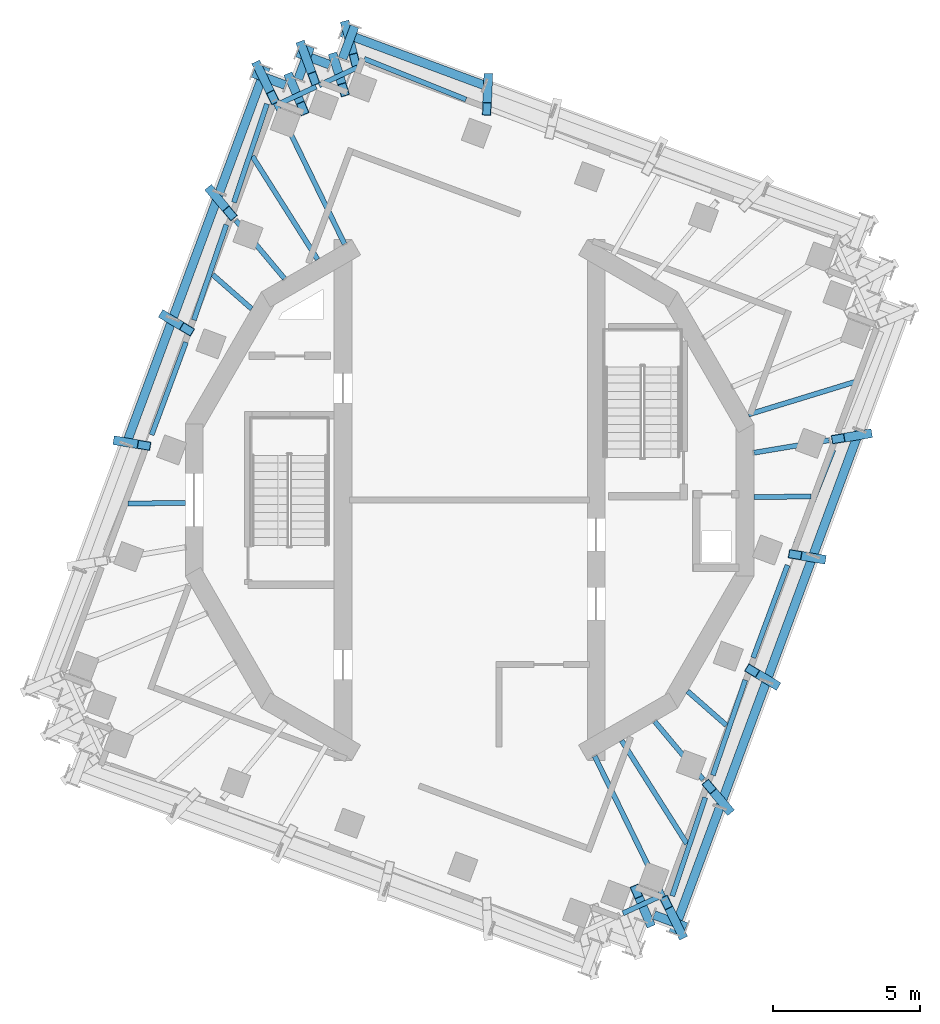
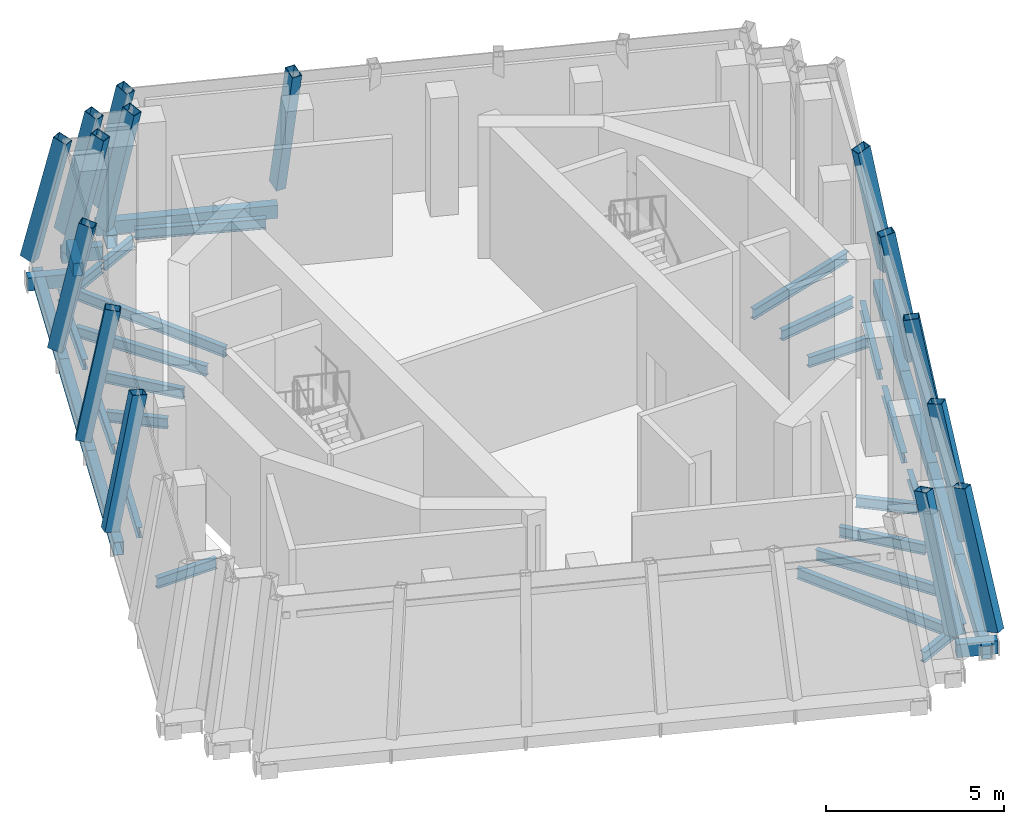
# One storey, part 2 of 11: 28 members, 23 beams, 15 elements without a shape of their own.
"""IFC4 building model written with IfcOpenShell, lengths in metres."""

from ifc_helpers import new_model, si_unit, direction, frame, origin, origin_2d, place, context, subcontext, project, spatial, hollow_rectangle, i_section, extrude, material, material_profile, profile_set, type_object, element, aggregate, save


model = new_model("IFC4")

# Units and contexts
model_context = context("Model", 3, precision=1e-05, world=origin(), true_north=direction((0.0, 1.0)))
body_context = subcontext(model_context, "Body", "Model", "MODEL_VIEW")
ifc_project = project(units=[si_unit("LENGTHUNIT", "METRE"), si_unit("AREAUNIT", "SQUARE_METRE"), si_unit("VOLUMEUNIT", "CUBIC_METRE"), si_unit("PLANEANGLEUNIT", "RADIAN"), si_unit("MASSUNIT", "GRAM", prefix="KILO")], contexts=[model_context])

# Site, building, storey
site_placement = place(None, origin())
site = spatial("IfcSite", under=ifc_project, at=site_placement, CompositionType="ELEMENT")
building_placement = place(site_placement, origin())
building = spatial("IfcBuilding", under=site, at=building_placement, Name="Cantera Rosa Tower", CompositionType="ELEMENT")
storey_placement = place(building_placement, frame((0.0, 0.0, 365.199951171875)))
storey = spatial("IfcBuildingStorey", under=building, at=storey_placement, Name="L82", CompositionType="ELEMENT", Elevation=365.199951171875)

# Curtain wall, member
ifc_material_1 = material(Name="Aluminium frame with clear glass", Category="aluminium")
curtain_wall_type = type_object("IfcCurtainWallType", Name="CW4 CROWN GLAZING", PredefinedType="NOTDEFINED", material=ifc_material_1)
curtain_wall_1_placement = place(storey_placement, origin())
curtain_wall_1 = element("IfcCurtainWall", 1, at=curtain_wall_1_placement, inside=storey, type_object=curtain_wall_type, Name="CW4 L82-05", PredefinedType="NOTDEFINED")
ifc_material_2 = material(Name="Steel S355J2 (EN 10025-2)", Category="steel")
ifc_material_profile_1 = material_profile(ifc_material_2, hollow_rectangle(XDim=0.300048828125, YDim=0.449951171875, WallThickness=0.01611328125, at=origin_2d()), Name="CROWN FRAME MULLION RHS 300x450x16")
ifc_profile_set_1 = profile_set([ifc_material_profile_1], Name="Steel S355J2 (EN 10025-2)")
member_type_1 = type_object("IfcMemberType", Name="CROWN FRAME MULLION RHS 300x450x16", PredefinedType="MULLION", material=ifc_profile_set_1)
member_1_placement = place(storey_placement, frame((0.628662109375, 14.271728515625, 0.0), z_axis=(-0.009380732046, -0.21363689761, 0.976868096442), x_axis=(0.999037360928, -0.043867430634, 0.0)))
member_1 = element("IfcMember", 2, at=member_1_placement, type_object=member_type_1, Name="CROWN FRAME rib L82-05", PredefinedType="MULLION", context=body_context, shape_type="SweptSolid", body=[
    extrude(hollow_rectangle(XDim=0.300048828125, YDim=0.449951171875, WallThickness=0.01611328125, at=origin_2d()), origin(), (0.0, 0.0, 1.0), 4.6064453125),
])

curtain_wall_2_placement = place(storey_placement, origin())
curtain_wall_2 = element("IfcCurtainWall", 3, at=curtain_wall_2_placement, inside=storey, type_object=curtain_wall_type, Name="CW4 L82-06", PredefinedType="NOTDEFINED")
member_2_placement = place(storey_placement, frame((-4.193115234375, 16.058837890625, 0.0), z_axis=(0.062253321843, -0.238550102365, 0.96913279409), x_axis=(0.967594620627, 0.252508712987, 0.0)))
member_2 = element("IfcMember", 4, at=member_2_placement, type_object=member_type_1, Name="CROWN FRAME rib L82-06", PredefinedType="MULLION", context=body_context, shape_type="SweptSolid", body=[
    extrude(hollow_rectangle(XDim=0.300048828125, YDim=0.449951171875, WallThickness=0.01611328125, at=origin_2d()), origin(), (0.0, 0.0, 1.0), 4.643310546875),
])

curtain_wall_3_placement = place(storey_placement, origin())
curtain_wall_3 = element("IfcCurtainWall", 5, at=curtain_wall_3_placement, inside=storey, type_object=curtain_wall_type, Name="CW4 L82-07", PredefinedType="NOTDEFINED")
member_3_placement = place(storey_placement, frame((-4.59619140625, 14.970947265625, 0.0), z_axis=(0.068476464334, -0.223102440423, 0.97238689569), x_axis=(0.955984057703, 0.293418611232, 0.0)))
member_3 = element("IfcMember", 6, at=member_3_placement, type_object=member_type_1, Name="CROWN FRAME rib L82-07", PredefinedType="MULLION", context=body_context, shape_type="SweptSolid", body=[
    extrude(hollow_rectangle(XDim=0.300048828125, YDim=0.449951171875, WallThickness=0.01611328125, at=origin_2d()), origin(), (0.0, 0.0, 1.0), 4.627685546875),
])

curtain_wall_4_placement = place(storey_placement, origin())
curtain_wall_4 = element("IfcCurtainWall", 7, at=curtain_wall_4_placement, inside=storey, type_object=curtain_wall_type, Name="CW4 L82-08", PredefinedType="NOTDEFINED")
member_4_placement = place(storey_placement, frame((-5.68408203125, 15.3740234375, 0.0), z_axis=(0.084505308064, -0.228522137559, 0.9698641583), x_axis=(0.937925785431, 0.346836014599, 0.0)))
member_4 = element("IfcMember", 8, at=member_4_placement, type_object=member_type_1, Name="CROWN FRAME rib L82-08", PredefinedType="MULLION", context=body_context, shape_type="SweptSolid", body=[
    extrude(hollow_rectangle(XDim=0.300048828125, YDim=0.449951171875, WallThickness=0.01611328125, at=origin_2d()), origin(), (0.0, 0.0, 1.0), 4.639892578125),
])

curtain_wall_5_placement = place(storey_placement, origin())
curtain_wall_5 = element("IfcCurtainWall", 9, at=curtain_wall_5_placement, inside=storey, type_object=curtain_wall_type, Name="CW4 L82-09", PredefinedType="NOTDEFINED")
member_5_placement = place(storey_placement, frame((-6.087158203125, 14.286376953125, 0.0), z_axis=(0.090779857641, -0.213015991534, 0.972822288395), x_axis=(0.919944828151, 0.392047845496, 0.0)))
member_5 = element("IfcMember", 10, at=member_5_placement, type_object=member_type_1, Name="CROWN FRAME rib L82-09", PredefinedType="MULLION", context=body_context, shape_type="SweptSolid", body=[
    extrude(hollow_rectangle(XDim=0.300048828125, YDim=0.449951171875, WallThickness=0.01611328125, at=origin_2d()), origin(), (0.0, 0.0, 1.0), 4.625732421875),
])

curtain_wall_6_placement = place(storey_placement, origin())
curtain_wall_6 = element("IfcCurtainWall", 11, at=curtain_wall_6_placement, inside=storey, type_object=curtain_wall_type, Name="CW4 L82-10", PredefinedType="NOTDEFINED")
member_6_placement = place(storey_placement, frame((-7.1748046875, 14.689453125, 0.0), z_axis=(0.106673890401, -0.218399923612, 0.970011419764), x_axis=(0.898545674073, 0.438880019601, 0.0)))
member_6 = element("IfcMember", 12, at=member_6_placement, type_object=member_type_1, Name="CROWN FRAME rib L82-10", PredefinedType="MULLION", context=body_context, shape_type="SweptSolid", body=[
    extrude(hollow_rectangle(XDim=0.300048828125, YDim=0.449951171875, WallThickness=0.01611328125, at=origin_2d()), origin(), (0.0, 0.0, 1.0), 4.63916015625),
])

curtain_wall_7_placement = place(storey_placement, origin())
curtain_wall_7 = element("IfcCurtainWall", 13, at=curtain_wall_7_placement, inside=storey, type_object=curtain_wall_type, Name="CW4 L82-11", PredefinedType="NOTDEFINED")
member_7_placement = place(storey_placement, frame((-8.74267578125, 10.458251953125, 0.0), z_axis=(0.131122068343, -0.156879137256, 0.978874833412), x_axis=(0.767283675605, 0.641307852088, 0.0)))
member_7 = element("IfcMember", 14, at=member_7_placement, type_object=member_type_1, Name="CROWN FRAME rib L82-11", PredefinedType="MULLION", context=body_context, shape_type="SweptSolid", body=[
    extrude(hollow_rectangle(XDim=0.300048828125, YDim=0.449951171875, WallThickness=0.01611328125, at=origin_2d()), origin(), (0.0, 0.0, 1.0), 4.59716796875),
])

curtain_wall_8_placement = place(storey_placement, origin())
curtain_wall_8 = element("IfcCurtainWall", 15, at=curtain_wall_8_placement, inside=storey, type_object=curtain_wall_type, Name="CW4 L82-12", PredefinedType="NOTDEFINED")
member_8_placement = place(storey_placement, frame((-10.310791015625, 6.22705078125, 0.0), z_axis=(0.155413991441, -0.093845935786, 0.983381630701), x_axis=(0.516913795704, 0.856037457014, 0.0)))
member_8 = element("IfcMember", 16, at=member_8_placement, type_object=member_type_1, Name="CROWN FRAME rib L82-12", PredefinedType="MULLION", context=body_context, shape_type="SweptSolid", body=[
    extrude(hollow_rectangle(XDim=0.300048828125, YDim=0.449951171875, WallThickness=0.01611328125, at=origin_2d()), origin(), (0.0, 0.0, 1.0), 4.575927734375),
])

curtain_wall_9_placement = place(storey_placement, origin())
curtain_wall_9 = element("IfcCurtainWall", 17, at=curtain_wall_9_placement, inside=storey, type_object=curtain_wall_type, Name="CW4 L82-13", PredefinedType="NOTDEFINED")
member_9_placement = place(storey_placement, frame((-11.878662109375, 1.995849609375, 0.0), z_axis=(0.17899692561, -0.030090690326, 0.983389368957), x_axis=(0.16578112972, 0.986162571298, 0.0)))
member_9 = element("IfcMember", 18, at=member_9_placement, type_object=member_type_1, Name="CROWN FRAME rib L82-13", PredefinedType="MULLION", context=body_context, shape_type="SweptSolid", body=[
    extrude(hollow_rectangle(XDim=0.300048828125, YDim=0.449951171875, WallThickness=0.01611328125, at=origin_2d()), origin(), (0.0, 0.0, 1.0), 4.575927734375),
])
aggregate(curtain_wall_9, [member_9])

curtain_wall_10_placement = place(storey_placement, origin())
curtain_wall_10 = element("IfcCurtainWall", 19, at=curtain_wall_10_placement, inside=storey, type_object=curtain_wall_type, Name="CW4 L82-27", PredefinedType="NOTDEFINED")
member_10_placement = place(storey_placement, frame((6.087158203125, -14.286376953125, 0.0), z_axis=(-0.090779857641, 0.213015991534, 0.972822288395), x_axis=(-0.919944828151, -0.392047845496, 0.0)))
member_10 = element("IfcMember", 20, at=member_10_placement, type_object=member_type_1, Name="CROWN FRAME rib L82-27", PredefinedType="MULLION", context=body_context, shape_type="SweptSolid", body=[
    extrude(hollow_rectangle(XDim=0.300048828125, YDim=0.449951171875, WallThickness=0.01611328125, at=origin_2d()), origin(), (0.0, 0.0, 1.0), 4.625732421875),
])

curtain_wall_11_placement = place(storey_placement, origin())
curtain_wall_11 = element("IfcCurtainWall", 21, at=curtain_wall_11_placement, inside=storey, type_object=curtain_wall_type, Name="CW4 L82-28", PredefinedType="NOTDEFINED")
member_11_placement = place(storey_placement, frame((7.1748046875, -14.689453125, 0.0), z_axis=(-0.106673890401, 0.218399923612, 0.970011419764), x_axis=(-0.898545674073, -0.438880019601, 0.0)))
member_11 = element("IfcMember", 22, at=member_11_placement, type_object=member_type_1, Name="CROWN FRAME rib L82-28", PredefinedType="MULLION", context=body_context, shape_type="SweptSolid", body=[
    extrude(hollow_rectangle(XDim=0.300048828125, YDim=0.449951171875, WallThickness=0.01611328125, at=origin_2d()), origin(), (0.0, 0.0, 1.0), 4.63916015625),
])

curtain_wall_12_placement = place(storey_placement, origin())
curtain_wall_12 = element("IfcCurtainWall", 23, at=curtain_wall_12_placement, inside=storey, type_object=curtain_wall_type, Name="CW4 L82-29", PredefinedType="NOTDEFINED")
member_12_placement = place(storey_placement, frame((8.74267578125, -10.458251953125, 0.0), z_axis=(-0.131122068343, 0.156879137256, 0.978874833412), x_axis=(-0.767283675605, -0.641307852088, 0.0)))
member_12 = element("IfcMember", 24, at=member_12_placement, type_object=member_type_1, Name="CROWN FRAME rib L82-29", PredefinedType="MULLION", context=body_context, shape_type="SweptSolid", body=[
    extrude(hollow_rectangle(XDim=0.300048828125, YDim=0.449951171875, WallThickness=0.01611328125, at=origin_2d()), origin(), (0.0, 0.0, 1.0), 4.59716796875),
])

curtain_wall_13_placement = place(storey_placement, origin())
curtain_wall_13 = element("IfcCurtainWall", 25, at=curtain_wall_13_placement, inside=storey, type_object=curtain_wall_type, Name="CW4 L82-30", PredefinedType="NOTDEFINED")
member_13_placement = place(storey_placement, frame((10.310791015625, -6.22705078125, 0.0), z_axis=(-0.155413991441, 0.093845935786, 0.983381630701), x_axis=(-0.516913795704, -0.856037457014, 0.0)))
member_13 = element("IfcMember", 26, at=member_13_placement, type_object=member_type_1, Name="CROWN FRAME rib L82-30", PredefinedType="MULLION", context=body_context, shape_type="SweptSolid", body=[
    extrude(hollow_rectangle(XDim=0.300048828125, YDim=0.449951171875, WallThickness=0.01611328125, at=origin_2d()), origin(), (0.0, 0.0, 1.0), 4.575927734375),
])

curtain_wall_14_placement = place(storey_placement, origin())
curtain_wall_14 = element("IfcCurtainWall", 27, at=curtain_wall_14_placement, inside=storey, type_object=curtain_wall_type, Name="CW4 L82-31", PredefinedType="NOTDEFINED")
member_14_placement = place(storey_placement, frame((11.878662109375, -1.995849609375, 0.0), z_axis=(-0.17899692561, 0.030090690326, 0.983389368957), x_axis=(-0.16578112972, -0.986162571298, 0.0)))
member_14 = element("IfcMember", 28, at=member_14_placement, type_object=member_type_1, Name="CROWN FRAME rib L82-31", PredefinedType="MULLION", context=body_context, shape_type="SweptSolid", body=[
    extrude(hollow_rectangle(XDim=0.300048828125, YDim=0.449951171875, WallThickness=0.01611328125, at=origin_2d()), origin(), (0.0, 0.0, 1.0), 4.575927734375),
])

curtain_wall_15_placement = place(storey_placement, origin())
curtain_wall_15 = element("IfcCurtainWall", 29, at=curtain_wall_15_placement, inside=storey, type_object=curtain_wall_type, Name="CW4 L82-32", PredefinedType="NOTDEFINED")
member_15_placement = place(storey_placement, frame((13.44677734375, 2.2353515625, 0.0), z_axis=(-0.201752441202, -0.0335103423, 0.978863120885), x_axis=(0.163851550291, -0.986485007219, 0.0)))
member_15 = element("IfcMember", 30, at=member_15_placement, type_object=member_type_1, Name="CROWN FRAME rib L82-32", PredefinedType="MULLION", context=body_context, shape_type="SweptSolid", body=[
    extrude(hollow_rectangle(XDim=0.300048828125, YDim=0.449951171875, WallThickness=0.01611328125, at=origin_2d()), origin(), (0.0, 0.0, 1.0), 4.59716796875),
])
aggregate(curtain_wall_15, [member_15])

# Member
ifc_material_3 = material(Name="Steel S355J2 (EN 10025-2)", Category="steel")
ifc_material_profile_2 = material_profile(ifc_material_3, hollow_rectangle(XDim=0.300048828125, YDim=0.449951171875, WallThickness=0.01611328125, at=origin_2d()), Name="CROWN FRAME PURLIN RHS 300x450x16")
ifc_profile_set_2 = profile_set([ifc_material_profile_2], Name="Steel S355J2 (EN 10025-2)")
member_type_2 = type_object("IfcMemberType", Name="CROWN FRAME PURLIN RHS 300x450x16", PredefinedType="PURLIN", material=ifc_profile_set_2)
member_16_placement = place(storey_placement, frame((0.515625, 14.08251953125, -0.675048828125), z_axis=(-0.937686896473, 0.347481343646, 0.0), x_axis=(-0.347481343646, -0.937686896473, 0.0)))
member_16 = element("IfcMember", 31, at=member_16_placement, type_object=member_type_2, Name="CROWN FRAME purlin L82-05", PredefinedType="PURLIN", context=body_context, shape_type="SweptSolid", body=[
    extrude(hollow_rectangle(XDim=0.300048828125, YDim=0.449951171875, WallThickness=0.01611328125, at=origin_2d()), origin(), (0.0, 0.0, 1.0), 5.190185546875),
])

aggregate(curtain_wall_1, [member_1, member_16])

member_17_placement = place(storey_placement, frame((-3.908447265625, 16.092041015625, -0.675048828125), z_axis=(-0.3475112458, -0.937675815003, 0.0), x_axis=(0.937675815003, -0.3475112458, 0.0)))
member_17 = element("IfcMember", 32, at=member_17_placement, type_object=member_type_2, Name="CROWN FRAME purlin L82-06", PredefinedType="PURLIN", context=body_context, shape_type="SweptSolid", body=[
    extrude(hollow_rectangle(XDim=0.300048828125, YDim=0.449951171875, WallThickness=0.01611328125, at=origin_2d()), origin(), (0.0, 0.0, 1.0), 1.171142578125),
])

aggregate(curtain_wall_2, [member_2, member_17])

member_18_placement = place(storey_placement, frame((-4.758544921875, 14.78857421875, -0.675048828125), z_axis=(-0.937718573213, 0.347395851228, 0.0), x_axis=(-0.347395851228, -0.937718573213, 0.0)))
member_18 = element("IfcMember", 33, at=member_18_placement, type_object=member_type_2, Name="CROWN FRAME purlin L82-07", PredefinedType="PURLIN", context=body_context, shape_type="SweptSolid", body=[
    extrude(hollow_rectangle(XDim=0.300048828125, YDim=0.449951171875, WallThickness=0.01611328125, at=origin_2d()), origin(), (0.0, 0.0, 1.0), 1.1708984375),
])

aggregate(curtain_wall_3, [member_3, member_18])

member_19_placement = place(storey_placement, frame((-5.4140625, 15.39990234375, -0.675048828125), z_axis=(-0.347327935918, -0.937743730947, 0.0), x_axis=(0.937743730947, -0.347327935918, 0.0)))
member_19 = element("IfcMember", 34, at=member_19_placement, type_object=member_type_2, Name="CROWN FRAME purlin L82-08", PredefinedType="PURLIN", context=body_context, shape_type="SweptSolid", body=[
    extrude(hollow_rectangle(XDim=0.300048828125, YDim=0.449951171875, WallThickness=0.01611328125, at=origin_2d()), origin(), (0.0, 0.0, 1.0), 1.171142578125),
])

aggregate(curtain_wall_4, [member_4, member_19])

member_20_placement = place(storey_placement, frame((-6.264404296875, 14.09765625, -0.675048828125), z_axis=(-0.937650632532, 0.347579187109, 0.0), x_axis=(-0.347579187109, -0.937650632532, 0.0)))
member_20 = element("IfcMember", 35, at=member_20_placement, type_object=member_type_2, Name="CROWN FRAME purlin L82-09", PredefinedType="PURLIN", context=body_context, shape_type="SweptSolid", body=[
    extrude(hollow_rectangle(XDim=0.300048828125, YDim=0.449951171875, WallThickness=0.01611328125, at=origin_2d()), origin(), (0.0, 0.0, 1.0), 1.1708984375),
])

aggregate(curtain_wall_5, [member_5, member_20])

member_21_placement = place(storey_placement, frame((-6.919189453125, 14.707763671875, -0.675048828125), z_axis=(-0.347490668123, -0.937683441022, 0.0), x_axis=(0.937683441022, -0.347490668123, 0.0)))
member_21 = element("IfcMember", 36, at=member_21_placement, type_object=member_type_2, Name="CROWN FRAME purlin L82-10", PredefinedType="PURLIN", context=body_context, shape_type="SweptSolid", body=[
    extrude(hollow_rectangle(XDim=0.300048828125, YDim=0.449951171875, WallThickness=0.01611328125, at=origin_2d()), origin(), (0.0, 0.0, 1.0), 4.554931640625),
])

aggregate(curtain_wall_6, [member_6, member_21])

member_22_placement = place(storey_placement, frame((-8.501953125, 10.436767578125, -0.675048828125), z_axis=(-0.347490668123, -0.937683441022, 0.0), x_axis=(0.937683441022, -0.347490668123, 0.0)))
member_22 = element("IfcMember", 37, at=member_22_placement, type_object=member_type_2, Name="CROWN FRAME purlin L82-11", PredefinedType="PURLIN", context=body_context, shape_type="SweptSolid", body=[
    extrude(hollow_rectangle(XDim=0.300048828125, YDim=0.449951171875, WallThickness=0.01611328125, at=origin_2d()), origin(), (0.0, 0.0, 1.0), 4.554931640625),
])

aggregate(curtain_wall_7, [member_7, member_22])

member_23_placement = place(storey_placement, frame((-10.084716796875, 6.165771484375, -0.675048828125), z_axis=(-0.347443538741, -0.93770090508, 0.0), x_axis=(0.93770090508, -0.347443538741, 0.0)))
member_23 = element("IfcMember", 38, at=member_23_placement, type_object=member_type_2, Name="CROWN FRAME purlin L82-12", PredefinedType="PURLIN", context=body_context, shape_type="SweptSolid", body=[
    extrude(hollow_rectangle(XDim=0.300048828125, YDim=0.449951171875, WallThickness=0.01611328125, at=origin_2d()), origin(), (0.0, 0.0, 1.0), 4.5546875),
])

aggregate(curtain_wall_8, [member_8, member_23])

member_24_placement = place(storey_placement, frame((6.264404296875, -14.09765625, -0.675048828125), z_axis=(0.937650632532, -0.347579187109, 0.0), x_axis=(0.347579187109, 0.937650632532, 0.0)))
member_24 = element("IfcMember", 39, at=member_24_placement, type_object=member_type_2, Name="CROWN FRAME purlin L82-27", PredefinedType="PURLIN", context=body_context, shape_type="SweptSolid", body=[
    extrude(hollow_rectangle(XDim=0.300048828125, YDim=0.449951171875, WallThickness=0.01611328125, at=origin_2d()), origin(), (0.0, 0.0, 1.0), 1.1708984375),
])

aggregate(curtain_wall_10, [member_10, member_24])

member_25_placement = place(storey_placement, frame((6.919189453125, -14.707763671875, -0.675048828125), z_axis=(0.347490668123, 0.937683441022, 0.0), x_axis=(-0.937683441022, 0.347490668123, 0.0)))
member_25 = element("IfcMember", 40, at=member_25_placement, type_object=member_type_2, Name="CROWN FRAME purlin L82-28", PredefinedType="PURLIN", context=body_context, shape_type="SweptSolid", body=[
    extrude(hollow_rectangle(XDim=0.300048828125, YDim=0.449951171875, WallThickness=0.01611328125, at=origin_2d()), origin(), (0.0, 0.0, 1.0), 4.554931640625),
])

aggregate(curtain_wall_11, [member_11, member_25])

member_26_placement = place(storey_placement, frame((8.501953125, -10.436767578125, -0.675048828125), z_axis=(0.347490668123, 0.937683441022, 0.0), x_axis=(-0.937683441022, 0.347490668123, 0.0)))
member_26 = element("IfcMember", 41, at=member_26_placement, type_object=member_type_2, Name="CROWN FRAME purlin L82-29", PredefinedType="PURLIN", context=body_context, shape_type="SweptSolid", body=[
    extrude(hollow_rectangle(XDim=0.300048828125, YDim=0.449951171875, WallThickness=0.01611328125, at=origin_2d()), origin(), (0.0, 0.0, 1.0), 4.554931640625),
])

aggregate(curtain_wall_12, [member_12, member_26])

member_27_placement = place(storey_placement, frame((10.084716796875, -6.165771484375, -0.675048828125), z_axis=(0.347443538741, 0.93770090508, 0.0), x_axis=(-0.93770090508, 0.347443538741, 0.0)))
member_27 = element("IfcMember", 42, at=member_27_placement, type_object=member_type_2, Name="CROWN FRAME purlin L82-30", PredefinedType="PURLIN", context=body_context, shape_type="SweptSolid", body=[
    extrude(hollow_rectangle(XDim=0.300048828125, YDim=0.449951171875, WallThickness=0.01611328125, at=origin_2d()), origin(), (0.0, 0.0, 1.0), 4.5546875),
])

aggregate(curtain_wall_13, [member_13, member_27])

member_28_placement = place(storey_placement, frame((11.667236328125, -1.894775390625, -0.675048828125), z_axis=(0.347508133857, 0.937676968312, 0.0), x_axis=(-0.937676968312, 0.347508133857, 0.0)))
member_28 = element("IfcMember", 43, at=member_28_placement, type_object=member_type_2, Name="CROWN FRAME purlin L82-31", PredefinedType="PURLIN", context=body_context, shape_type="SweptSolid", body=[
    extrude(hollow_rectangle(XDim=0.300048828125, YDim=0.449951171875, WallThickness=0.01611328125, at=origin_2d()), origin(), (0.0, 0.0, 1.0), 4.5546875),
])

aggregate(curtain_wall_14, [member_14, member_28])

# Beams
ifc_material_4 = material(Name="Steel ASTM A992 (Fy 345 MPa)", Category="steel")
ifc_material_profile_3 = material_profile(ifc_material_4, i_section(OverallWidth=0.1708984375, OverallDepth=0.35595703125, WebThickness=0.00732421875, FlangeThickness=0.01171875, FilletRadius=0.010009765625, at=origin_2d()), Name="W360X51")
ifc_profile_set_3 = profile_set([ifc_material_profile_3], Name="Steel ASTM A992 (Fy 345 MPa)")
beam_type_1 = type_object("IfcBeamType", Name="STEEL BEAM W360X51", PredefinedType="BEAM", material=ifc_profile_set_3)
beam_1_placement = place(storey_placement, frame((-6.626220703125, 13.566162109375, -0.6279296875), z_axis=(0.43888101071, -0.898545189981, 0.0), x_axis=(0.898545189981, 0.43888101071, 0.0)))
element("IfcBeam", 44, at=beam_1_placement, inside=storey, type_object=beam_type_1, Name="CG-Z6-03 L82", PredefinedType="BEAM", context=body_context, shape_type="SweptSolid", body=[
    extrude(i_section(OverallWidth=0.1708984375, OverallDepth=0.35595703125, WebThickness=0.00732421875, FlangeThickness=0.01171875, FilletRadius=0.010009765625, at=origin_2d()), origin(), (0.0, 0.0, 1.0), 5.415283203125),
])
beam_2_placement = place(storey_placement, frame((-7.94091796875, 9.499267578125, -0.6279296875), z_axis=(0.641320960107, -0.767272719525, 0.0), x_axis=(0.767272719525, 0.641320960107, 0.0)))
element("IfcBeam", 45, at=beam_2_placement, inside=storey, type_object=beam_type_1, Name="CG-Z6-04 L82", PredefinedType="BEAM", context=body_context, shape_type="SweptSolid", body=[
    extrude(i_section(OverallWidth=0.1708984375, OverallDepth=0.35595703125, WebThickness=0.00732421875, FlangeThickness=0.01171875, FilletRadius=0.010009765625, at=origin_2d()), origin(), (0.0, 0.0, 1.0), 2.576171875),
])
beam_3_placement = place(storey_placement, frame((6.626220703125, -13.566162109375, -0.6279296875), z_axis=(-0.43888101071, 0.898545189981, 0.0), x_axis=(-0.898545189981, -0.43888101071, 0.0)))
element("IfcBeam", 46, at=beam_3_placement, inside=storey, type_object=beam_type_1, Name="CG-Z6-09 L82", PredefinedType="BEAM", context=body_context, shape_type="SweptSolid", body=[
    extrude(i_section(OverallWidth=0.1708984375, OverallDepth=0.35595703125, WebThickness=0.00732421875, FlangeThickness=0.01171875, FilletRadius=0.010009765625, at=origin_2d()), origin(), (0.0, 0.0, 1.0), 5.415283203125),
])
beam_4_placement = place(storey_placement, frame((7.94091796875, -9.499267578125, -0.6279296875), z_axis=(-0.641320960107, 0.767272719525, 0.0), x_axis=(-0.767272719525, -0.641320960107, 0.0)))
element("IfcBeam", 47, at=beam_4_placement, inside=storey, type_object=beam_type_1, Name="CG-Z6-10 L82", PredefinedType="BEAM", context=body_context, shape_type="SweptSolid", body=[
    extrude(i_section(OverallWidth=0.1708984375, OverallDepth=0.35595703125, WebThickness=0.00732421875, FlangeThickness=0.01171875, FilletRadius=0.010009765625, at=origin_2d()), origin(), (0.0, 0.0, 1.0), 2.576171875),
])
beam_5_placement = place(storey_placement, frame((12.213623046875, 2.030517578125, -0.6279296875), z_axis=(-0.98645246769, -0.164047337645, 0.0), x_axis=(0.164047337645, -0.98645246769, 0.0)))
element("IfcBeam", 48, at=beam_5_placement, inside=storey, type_object=beam_type_1, Name="CG-Z6-11 L82", PredefinedType="BEAM", context=body_context, shape_type="SweptSolid", body=[
    extrude(i_section(OverallWidth=0.1708984375, OverallDepth=0.35595703125, WebThickness=0.00732421875, FlangeThickness=0.01171875, FilletRadius=0.010009765625, at=origin_2d()), origin(), (0.0, 0.0, 1.0), 2.589599609375),
])
beam_6_placement = place(storey_placement, frame((-7.381591796875, 11.68115234375, -0.6279296875), z_axis=(0.534216469658, -0.845347717538, 0.0), x_axis=(0.845347717538, 0.534216469658, 0.0)))
element("IfcBeam", 49, at=beam_6_placement, inside=storey, type_object=beam_type_1, Name="CB-Z6-03 L82", PredefinedType="BEAM", context=body_context, shape_type="SweptSolid", body=[
    extrude(i_section(OverallWidth=0.1708984375, OverallDepth=0.35595703125, WebThickness=0.00732421875, FlangeThickness=0.01171875, FilletRadius=0.010009765625, at=origin_2d()), origin(), (0.0, 0.0, 1.0), 4.15087890625),
])
beam_7_placement = place(storey_placement, frame((-8.725341796875, 7.653564453125, -0.6279296875), z_axis=(0.751715622581, -0.659487393942, 0.0), x_axis=(0.659487393942, 0.751715622581, 0.0)))
element("IfcBeam", 50, at=beam_7_placement, inside=storey, type_object=beam_type_1, Name="CB-Z6-04 L82", PredefinedType="BEAM", context=body_context, shape_type="SweptSolid", body=[
    extrude(i_section(OverallWidth=0.1708984375, OverallDepth=0.35595703125, WebThickness=0.00732421875, FlangeThickness=0.01171875, FilletRadius=0.010009765625, at=origin_2d()), origin(), (0.0, 0.0, 1.0), 1.7578125),
])
beam_8_placement = place(storey_placement, frame((-11.605712890625, -0.119384765625, -0.6279296875), z_axis=(0.999947116556, 0.010284167008, 0.0), x_axis=(-0.010284167008, 0.999947116556, 0.0)))
element("IfcBeam", 51, at=beam_8_placement, inside=storey, type_object=beam_type_1, Name="CB-Z6-05 L82", PredefinedType="BEAM", context=body_context, shape_type="SweptSolid", body=[
    extrude(i_section(OverallWidth=0.1708984375, OverallDepth=0.35595703125, WebThickness=0.00732421875, FlangeThickness=0.01171875, FilletRadius=0.010009765625, at=origin_2d()), origin(), (0.0, 0.0, 1.0), 1.946533203125),
])
beam_9_placement = place(storey_placement, frame((7.381591796875, -11.68115234375, -0.6279296875), z_axis=(-0.534216469658, 0.845347717538, 0.0), x_axis=(-0.845347717538, -0.534216469658, 0.0)))
element("IfcBeam", 52, at=beam_9_placement, inside=storey, type_object=beam_type_1, Name="CB-Z6-09 L82", PredefinedType="BEAM", context=body_context, shape_type="SweptSolid", body=[
    extrude(i_section(OverallWidth=0.1708984375, OverallDepth=0.35595703125, WebThickness=0.00732421875, FlangeThickness=0.01171875, FilletRadius=0.010009765625, at=origin_2d()), origin(), (0.0, 0.0, 1.0), 4.15087890625),
])
beam_10_placement = place(storey_placement, frame((8.725341796875, -7.653564453125, -0.6279296875), z_axis=(-0.751715622581, 0.659487393942, 0.0), x_axis=(-0.659487393942, -0.751715622581, 0.0)))
element("IfcBeam", 53, at=beam_10_placement, inside=storey, type_object=beam_type_1, Name="CB-Z6-10 L82", PredefinedType="BEAM", context=body_context, shape_type="SweptSolid", body=[
    extrude(i_section(OverallWidth=0.1708984375, OverallDepth=0.35595703125, WebThickness=0.00732421875, FlangeThickness=0.01171875, FilletRadius=0.010009765625, at=origin_2d()), origin(), (0.0, 0.0, 1.0), 1.7578125),
])
beam_11_placement = place(storey_placement, frame((11.605712890625, 0.119384765625, -0.6279296875), z_axis=(-0.999947116556, -0.010284167008, 0.0), x_axis=(0.010284167008, -0.999947116556, 0.0)))
element("IfcBeam", 54, at=beam_11_placement, inside=storey, type_object=beam_type_1, Name="CB-Z6-11 L82", PredefinedType="BEAM", context=body_context, shape_type="SweptSolid", body=[
    extrude(i_section(OverallWidth=0.1708984375, OverallDepth=0.35595703125, WebThickness=0.00732421875, FlangeThickness=0.01171875, FilletRadius=0.010009765625, at=origin_2d()), origin(), (0.0, 0.0, 1.0), 1.946533203125),
])
beam_12_placement = place(storey_placement, frame((13.211181640625, 4.050048828125, -0.6279296875), z_axis=(-0.956078496875, -0.293110743257, 0.0), x_axis=(0.293110743257, -0.956078496875, 0.0)))
element("IfcBeam", 55, at=beam_12_placement, inside=storey, type_object=beam_type_1, Name="CB-Z6-12 L82", PredefinedType="BEAM", context=body_context, shape_type="SweptSolid", body=[
    extrude(i_section(OverallWidth=0.1708984375, OverallDepth=0.35595703125, WebThickness=0.00732421875, FlangeThickness=0.01171875, FilletRadius=0.010009765625, at=origin_2d()), origin(), (0.0, 0.0, 1.0), 3.906494140625),
])
ifc_material_5 = material(Name="Steel ASTM A992 (Fy 345 MPa)", Category="steel")
ifc_material_profile_4 = material_profile(ifc_material_5, i_section(OverallWidth=0.1708984375, OverallDepth=0.35595703125, WebThickness=0.00732421875, FlangeThickness=0.01171875, FilletRadius=0.010009765625, at=origin_2d()), Name="W360X51")
ifc_profile_set_4 = profile_set([ifc_material_profile_4], Name="Steel ASTM A992 (Fy 345 MPa)")
beam_type_2 = type_object("IfcBeamType", Name="STEEL SPANDREL BEAM W360X51", PredefinedType="SPANDREL", material=ifc_profile_set_4)
beam_13_placement = place(storey_placement, frame((-0.12255859375, 13.60498046875, -0.6279296875), z_axis=(-0.928286801118, 0.371865049273, 0.0), x_axis=(-0.371865049273, -0.928286801118, 0.0)))
element("IfcBeam", 56, at=beam_13_placement, inside=storey, type_object=beam_type_2, Name="CEB-Z6-04 L82", PredefinedType="SPANDREL", context=body_context, shape_type="SweptSolid", body=[
    extrude(i_section(OverallWidth=0.1708984375, OverallDepth=0.35595703125, WebThickness=0.00732421875, FlangeThickness=0.01171875, FilletRadius=0.010009765625, at=origin_2d()), origin(), (0.0, 0.0, 1.0), 3.7265625),
])
beam_14_placement = place(storey_placement, frame((-3.810791015625, 14.6982421875, -0.6279296875), z_axis=(-0.905526293712, -0.42429015001, 0.0), x_axis=(0.42429015001, -0.905526293712, 0.0)))
element("IfcBeam", 57, at=beam_14_placement, inside=storey, type_object=beam_type_2, Name="CEB-Z6-05 L82", PredefinedType="SPANDREL", context=body_context, shape_type="SweptSolid", body=[
    extrude(i_section(OverallWidth=0.1708984375, OverallDepth=0.35595703125, WebThickness=0.00732421875, FlangeThickness=0.01171875, FilletRadius=0.010009765625, at=origin_2d()), origin(), (0.0, 0.0, 1.0), 1.436279296875),
])
beam_15_placement = place(storey_placement, frame((-5.212890625, 14.041748046875, -0.6279296875), z_axis=(-0.908078933222, -0.418799058067, 0.0), x_axis=(0.418799058067, -0.908078933222, 0.0)))
element("IfcBeam", 58, at=beam_15_placement, inside=storey, type_object=beam_type_2, Name="CEB-Z6-06 L82", PredefinedType="SPANDREL", context=body_context, shape_type="SweptSolid", body=[
    extrude(i_section(OverallWidth=0.1708984375, OverallDepth=0.35595703125, WebThickness=0.00732421875, FlangeThickness=0.01171875, FilletRadius=0.010009765625, at=origin_2d()), origin(), (0.0, 0.0, 1.0), 1.43408203125),
])
beam_16_placement = place(storey_placement, frame((-6.885009765625, 13.456298828125, -0.6279296875), z_axis=(-0.317638219672, -0.948211981259, 0.0), x_axis=(0.948211981259, -0.317638219672, 0.0)))
element("IfcBeam", 59, at=beam_16_placement, inside=storey, type_object=beam_type_2, Name="CEB-Z6-07 L82", PredefinedType="SPANDREL", context=body_context, shape_type="SweptSolid", body=[
    extrude(i_section(OverallWidth=0.1708984375, OverallDepth=0.35595703125, WebThickness=0.00732421875, FlangeThickness=0.01171875, FilletRadius=0.010009765625, at=origin_2d()), origin(), (0.0, 0.0, 1.0), 3.5302734375),
])
beam_17_placement = place(storey_placement, frame((-8.2626953125, 9.350830078125, -0.6279296875), z_axis=(-0.323243649794, -0.946315773338, 0.0), x_axis=(0.946315773338, -0.323243649794, 0.0)))
element("IfcBeam", 60, at=beam_17_placement, inside=storey, type_object=beam_type_2, Name="CEB-Z6-08 L82", PredefinedType="SPANDREL", context=body_context, shape_type="SweptSolid", body=[
    extrude(i_section(OverallWidth=0.1708984375, OverallDepth=0.35595703125, WebThickness=0.00732421875, FlangeThickness=0.01171875, FilletRadius=0.010009765625, at=origin_2d()), origin(), (0.0, 0.0, 1.0), 3.419921875),
])
beam_18_placement = place(storey_placement, frame((-9.636474609375, 5.36083984375, -0.6279296875), z_axis=(-0.347454118588, -0.937696984893, 0.0), x_axis=(0.937696984893, -0.347454118588, 0.0)))
element("IfcBeam", 61, at=beam_18_placement, inside=storey, type_object=beam_type_2, Name="CEB-Z6-09 L82", PredefinedType="SPANDREL", context=body_context, shape_type="SweptSolid", body=[
    extrude(i_section(OverallWidth=0.1708984375, OverallDepth=0.35595703125, WebThickness=0.00732421875, FlangeThickness=0.01171875, FilletRadius=0.010009765625, at=origin_2d()), origin(), (0.0, 0.0, 1.0), 3.356689453125),
])
beam_19_placement = place(storey_placement, frame((5.212890625, -14.041748046875, -0.6279296875), z_axis=(0.908078933222, 0.418799058067, 0.0), x_axis=(-0.418799058067, 0.908078933222, 0.0)))
element("IfcBeam", 62, at=beam_19_placement, inside=storey, type_object=beam_type_2, Name="CEB-Z6-19 L82", PredefinedType="SPANDREL", context=body_context, shape_type="SweptSolid", body=[
    extrude(i_section(OverallWidth=0.1708984375, OverallDepth=0.35595703125, WebThickness=0.00732421875, FlangeThickness=0.01171875, FilletRadius=0.010009765625, at=origin_2d()), origin(), (0.0, 0.0, 1.0), 1.43408203125),
])
beam_20_placement = place(storey_placement, frame((6.885009765625, -13.456298828125, -0.6279296875), z_axis=(0.317638219672, 0.948211981259, 0.0), x_axis=(-0.948211981259, 0.317638219672, 0.0)))
element("IfcBeam", 63, at=beam_20_placement, inside=storey, type_object=beam_type_2, Name="CEB-Z6-20 L82", PredefinedType="SPANDREL", context=body_context, shape_type="SweptSolid", body=[
    extrude(i_section(OverallWidth=0.1708984375, OverallDepth=0.35595703125, WebThickness=0.00732421875, FlangeThickness=0.01171875, FilletRadius=0.010009765625, at=origin_2d()), origin(), (0.0, 0.0, 1.0), 3.5302734375),
])
beam_21_placement = place(storey_placement, frame((8.2626953125, -9.350830078125, -0.6279296875), z_axis=(0.323243649794, 0.946315773338, 0.0), x_axis=(-0.946315773338, 0.323243649794, 0.0)))
element("IfcBeam", 64, at=beam_21_placement, inside=storey, type_object=beam_type_2, Name="CEB-Z6-21 L82", PredefinedType="SPANDREL", context=body_context, shape_type="SweptSolid", body=[
    extrude(i_section(OverallWidth=0.1708984375, OverallDepth=0.35595703125, WebThickness=0.00732421875, FlangeThickness=0.01171875, FilletRadius=0.010009765625, at=origin_2d()), origin(), (0.0, 0.0, 1.0), 3.419921875),
])
beam_22_placement = place(storey_placement, frame((9.636474609375, -5.36083984375, -0.6279296875), z_axis=(0.347454118588, 0.937696984893, 0.0), x_axis=(-0.937696984893, 0.347454118588, 0.0)))
element("IfcBeam", 65, at=beam_22_placement, inside=storey, type_object=beam_type_2, Name="CEB-Z6-22 L82", PredefinedType="SPANDREL", context=body_context, shape_type="SweptSolid", body=[
    extrude(i_section(OverallWidth=0.1708984375, OverallDepth=0.35595703125, WebThickness=0.00732421875, FlangeThickness=0.01171875, FilletRadius=0.010009765625, at=origin_2d()), origin(), (0.0, 0.0, 1.0), 3.356689453125),
])
beam_23_placement = place(storey_placement, frame((11.090576171875, -1.466796875, -0.6279296875), z_axis=(0.371452220307, 0.928452070938, 0.0), x_axis=(-0.928452070938, 0.371452220307, 0.0)))
element("IfcBeam", 66, at=beam_23_placement, inside=storey, type_object=beam_type_2, Name="CEB-Z6-23 L82", PredefinedType="SPANDREL", context=body_context, shape_type="SweptSolid", body=[
    extrude(i_section(OverallWidth=0.1708984375, OverallDepth=0.35595703125, WebThickness=0.00732421875, FlangeThickness=0.01171875, FilletRadius=0.010009765625, at=origin_2d()), origin(), (0.0, 0.0, 1.0), 3.419677734375),
])

save(model, "model.ifc")
